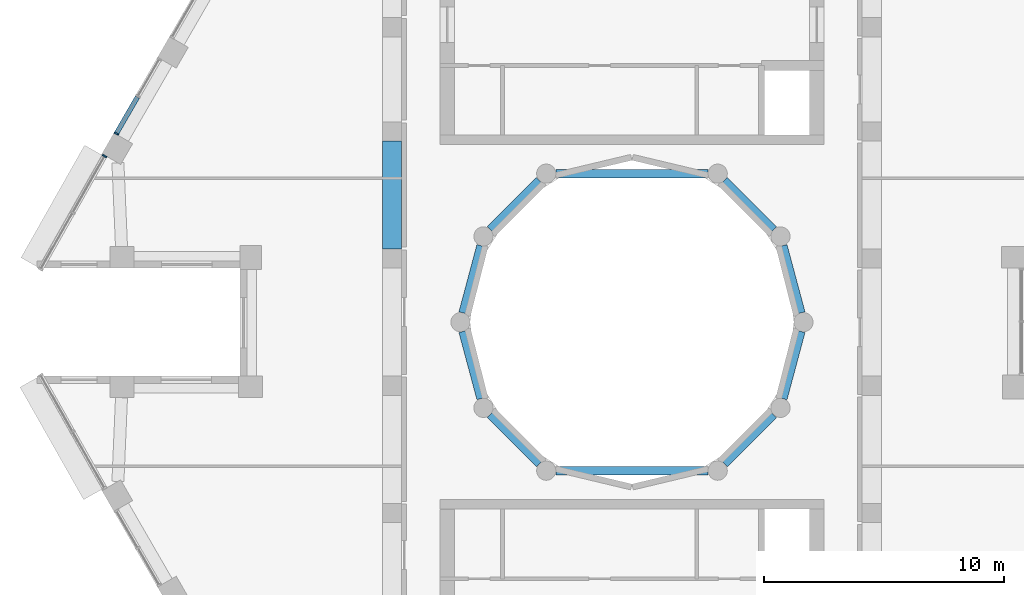
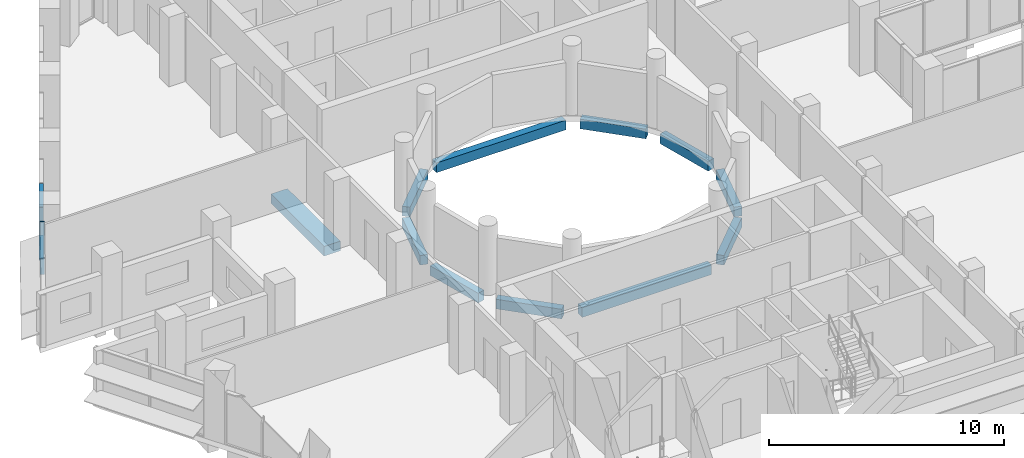
# One storey, part 3 of 16: 11 beams, 4 members, 2 elements without a shape of their own.
"""IFC4 building model written with IfcOpenShell, lengths in metres."""

import ifcopenshell
import ifcopenshell.guid

model = None  # the IFC model being written
_history = None  # IfcOwnerHistory: only IFC2X3 demands one
_inside = {}  # id of a spatial element -> (the spatial element, [elements in it])
_under = {}  # id of a project, library or spatial element -> (it, [spatial elements below it])
_declared = {}  # id of a project -> (the project, [libraries it declares])
_typed = {}  # id of a type object -> (the type object, [elements of that type])
_made_of = {}  # id of a material, layer set ... -> (it, [elements and type objects made of it])


def new_model(schema):
    """Start an empty IFC model of exactly this schema.

    Asked for "IFC4X3", IfcOpenShell would pick the latest addendum, in which some entities
    have other attributes; the version numbers below select the first issue.
    IFC2X3 requires an IfcOwnerHistory on every rooted entity: one is made here for all.
    """
    global model, _history
    if schema == "IFC4X3":
        model = ifcopenshell.file(schema_version=(4, 3, 0, 0))
    else:
        model = ifcopenshell.file(schema=schema)
    _inside.clear()
    _under.clear()
    _declared.clear()
    _typed.clear()
    _made_of.clear()
    _history = None
    if model.schema == "IFC2X3":
        org = make("IfcOrganization", Name="unknown")
        user = make(
            "IfcPersonAndOrganization",
            ThePerson=make("IfcPerson", FamilyName="unknown"),
            TheOrganization=org,
        )
        app = make(
            "IfcApplication",
            ApplicationDeveloper=org,
            Version="unknown",
            ApplicationFullName="unknown",
            ApplicationIdentifier="unknown",
        )
        _history = make(
            "IfcOwnerHistory",
            OwningUser=user,
            OwningApplication=app,
            ChangeAction="ADDED",
            CreationDate=0,
        )
    return model


def make(cls, **values):
    """One entity of the class cls with the attributes given. An attribute that is None is left unset."""
    return model.create_entity(
        cls, **{name: value for name, value in values.items() if value is not None}
    )


def rooted(cls, **values):
    """An entity with a GlobalId (a new one), such as an element, a storey or a relation."""
    return make(cls, GlobalId=ifcopenshell.guid.new(), OwnerHistory=_history, **values)


def si_unit(unit_type, name, prefix=None):
    """IfcSIUnit, for example si_unit("LENGTHUNIT", "METRE", prefix="MILLI")."""
    return make("IfcSIUnit", UnitType=unit_type, Prefix=prefix, Name=name)


def assignment(units):
    """IfcUnitAssignment: the units of a project."""
    return None if units is None else make("IfcUnitAssignment", Units=units)


def point(xyz):
    """IfcCartesianPoint."""
    return None if xyz is None else make("IfcCartesianPoint", Coordinates=xyz)


def direction(xyz):
    """IfcDirection."""
    return None if xyz is None else make("IfcDirection", DirectionRatios=xyz)


def frame(location, z_axis=None, x_axis=None):
    """IfcAxis2Placement3D, a coordinate frame: its origin and axes. An axis left out is left unset."""
    return make(
        "IfcAxis2Placement3D",
        Location=point(location),
        Axis=direction(z_axis),
        RefDirection=direction(x_axis),
    )


def frame_2d(location, x_axis=None):
    """IfcAxis2Placement2D, a coordinate frame in the plane: its origin and x axis."""
    return make(
        "IfcAxis2Placement2D", Location=point(location), RefDirection=direction(x_axis)
    )


def origin():
    """The frame at (0, 0, 0) with its axes left unset."""
    return frame((0.0, 0.0, 0.0))


def origin_2d():
    """The frame at (0, 0) in the plane with its x axis left unset."""
    return frame_2d((0.0, 0.0))


def place(relative_to, where):
    """IfcLocalPlacement: puts the frame where relative to a parent placement (None: the world)."""
    return make(
        "IfcLocalPlacement", PlacementRelTo=relative_to, RelativePlacement=where
    )


def context(
    kind, dimensions, precision=None, world=None, true_north=None, identifier=None
):
    """IfcGeometricRepresentationContext, for example the 3D "Model" context."""
    return make(
        "IfcGeometricRepresentationContext",
        ContextIdentifier=identifier,
        ContextType=kind,
        CoordinateSpaceDimension=dimensions,
        Precision=precision,
        WorldCoordinateSystem=world,
        TrueNorth=true_north,
    )


def subcontext(parent, identifier, kind, view, scale=None):
    """IfcGeometricRepresentationSubContext, for example "Body" below "Model"."""
    return make(
        "IfcGeometricRepresentationSubContext",
        ContextIdentifier=identifier,
        ContextType=kind,
        ParentContext=parent,
        TargetScale=scale,
        TargetView=view,
    )


def project(units=None, contexts=None):
    """IfcProject with its units and contexts."""
    return rooted(
        "IfcProject",
        Name="project",
        RepresentationContexts=contexts,
        UnitsInContext=assignment(units),
    )


def spatial(cls, under=None, at=None, **own):
    """A site, building, storey or space (cls), placed at a placement, below another one or the project."""
    s = rooted(cls, ObjectPlacement=at, **own)
    if under is not None:
        _under.setdefault(under.id(), (under, []))[1].append(s)
    return s


def profile(cls, at=None, kind="AREA", **sizes):
    """A parametric profile (cls). Its sizes go by their IFC names, for example OverallWidth=200.0."""
    return make(cls, ProfileType=kind, Position=at, **sizes)


def rectangle(**sizes):
    """IfcRectangleProfileDef."""
    return profile("IfcRectangleProfileDef", **sizes)


def extrude(swept, where, along, depth):
    """IfcExtrudedAreaSolid: the profile swept, set in the frame where, extruded along a direction by depth."""
    return make(
        "IfcExtrudedAreaSolid",
        SweptArea=swept,
        Position=where,
        ExtrudedDirection=direction(along),
        Depth=depth,
    )


def shape(context_of_items, identifier, shape_type, items):
    """IfcShapeRepresentation: the items that make up one representation, for example the "Body"."""
    return make(
        "IfcShapeRepresentation",
        ContextOfItems=context_of_items,
        RepresentationIdentifier=identifier,
        RepresentationType=shape_type,
        Items=items,
    )


def material(Name=None, Category=None):
    """IfcMaterial."""
    return make("IfcMaterial", Name=Name, Category=Category)


def layer(
    of_material, thickness, ventilated=None, Name=None, Category=None, Priority=None
):
    """IfcMaterialLayer: one layer of a wall or slab, of a material (None: an air gap)."""
    return make(
        "IfcMaterialLayer",
        Material=of_material,
        LayerThickness=thickness,
        IsVentilated=ventilated,
        Name=Name,
        Category=Category,
        Priority=Priority,
    )


def layer_set(layers, Name=None):
    """IfcMaterialLayerSet."""
    return make("IfcMaterialLayerSet", MaterialLayers=layers, LayerSetName=Name)


def material_profile(
    of_material, cross_section, Name=None, Category=None, Priority=None
):
    """IfcMaterialProfile: a cross section and its material."""
    return make(
        "IfcMaterialProfile",
        Name=Name,
        Material=of_material,
        Profile=cross_section,
        Priority=Priority,
        Category=Category,
    )


def profile_set(profiles, Name=None, composite=None):
    """IfcMaterialProfileSet."""
    return make(
        "IfcMaterialProfileSet",
        Name=Name,
        MaterialProfiles=profiles,
        CompositeProfile=composite,
    )


def made_of(thing, what):
    """Note that an element or type object is made of a material, layer set ...; save() writes the relation."""
    if what is not None:
        _made_of.setdefault(what.id(), (what, []))[1].append(thing)
    return thing


def type_object(cls, material=None, **own):
    """A type object (cls), such as IfcWallType, which elements share."""
    return made_of(rooted(cls, **own), material)


def element(
    cls,
    number,
    at=None,
    inside=None,
    cuts=None,
    type_object=None,
    material=None,
    context=None,
    identifier="Body",
    shape_type=None,
    held_by="IfcProductDefinitionShape",
    body=None,
    shapes=None,
    **own,
):
    """One element of the class cls, such as IfcWall. Its Tag is "e" and its number.

    at: its placement. inside: the storey or other place that contains it. cuts: it is an
    opening in that element (IfcRelVoidsElement). A single representation is given by context,
    identifier, shape_type and body (its items); several are given by shapes. held_by: the class
    of the entity that holds the representations. save() writes the other relations.
    """
    e = rooted(cls, Tag="e%d" % number, ObjectPlacement=at, **own)
    if body is not None:
        shapes = [shape(context, identifier, shape_type, body)]
    if shapes is not None:
        e.Representation = make(held_by, Representations=shapes)
    if inside is not None:
        _inside.setdefault(inside.id(), (inside, []))[1].append(e)
    if cuts is not None:
        rooted(
            "IfcRelVoidsElement", RelatingBuildingElement=cuts, RelatedOpeningElement=e
        )
    if type_object is not None:
        _typed.setdefault(type_object.id(), (type_object, []))[1].append(e)
    return made_of(e, material)


def aggregate(whole, parts):
    """IfcRelAggregates: a whole, such as a stair, and the parts it consists of."""
    return rooted("IfcRelAggregates", RelatingObject=whole, RelatedObjects=parts)


def save(model, path):
    """Write the relations noted so far, then the file.

    IfcRelAggregates (storeys below a building ...), IfcRelContainedInSpatialStructure (elements
    in a storey), IfcRelDefinesByType, IfcRelAssociatesMaterial and IfcRelDeclares: one each for
    every whole, place, type object, material and project.
    """
    for whole, parts in _under.values():
        aggregate(whole, parts)
    for where, things in _inside.values():
        rooted(
            "IfcRelContainedInSpatialStructure",
            RelatedElements=things,
            RelatingStructure=where,
        )
    for kind, things in _typed.values():
        rooted("IfcRelDefinesByType", RelatedObjects=things, RelatingType=kind)
    for what, things in _made_of.values():
        rooted("IfcRelAssociatesMaterial", RelatedObjects=things, RelatingMaterial=what)
    for by, libraries in _declared.values():
        rooted("IfcRelDeclares", RelatingContext=by, RelatedDefinitions=libraries)
    model.write(path)


model = new_model("IFC4")

# Units and contexts
model_context = context("Model", 3, precision=1e-05, world=origin(), true_north=direction((0.0, 1.0)))
body_context = subcontext(model_context, "Body", "Model", "MODEL_VIEW")
ifc_project = project(units=[si_unit("LENGTHUNIT", "METRE"), si_unit("AREAUNIT", "SQUARE_METRE"), si_unit("VOLUMEUNIT", "CUBIC_METRE"), si_unit("PLANEANGLEUNIT", "RADIAN"), si_unit("MASSUNIT", "GRAM", prefix="KILO")], contexts=[model_context])

# Site, building, storey
site_placement = place(None, origin())
site = spatial("IfcSite", under=ifc_project, at=site_placement, CompositionType="ELEMENT")
building_placement = place(site_placement, origin())
building = spatial("IfcBuilding", under=site, at=building_placement, Name="Nakaniwa Court", CompositionType="ELEMENT")
storey_placement = place(building_placement, frame((0.0, 0.0, 272.39990234375)))
storey = spatial("IfcBuildingStorey", under=building, at=storey_placement, Name="C01", CompositionType="ELEMENT", Elevation=272.39990234375)

# Beams
ifc_material_1 = material(Name="Concrete C80/100", Category="concrete")
ifc_material_profile_1 = material_profile(ifc_material_1, rectangle(XDim=0.35009765625, YDim=0.5, at=origin_2d()), Name="Concrete C80/100 RC 350x500 ring beam")
ifc_profile_set_1 = profile_set([ifc_material_profile_1], Name="Concrete C80/100")
beam_type_1 = type_object("IfcBeamType", Name="Concrete C80/100 RC 350x500 ring beam", PredefinedType="BEAM", material=ifc_profile_set_1)
beam_1_placement = place(storey_placement, frame((87.04638671875, 80.386474609375, -0.52490234375), z_axis=(-0.258778150207, 0.965936783115, 0.0), x_axis=(-0.965936783115, -0.258778150207, 0.0)))
element("IfcBeam", 1, at=beam_1_placement, inside=storey, type_object=beam_type_1, Name="RING BEAM", PredefinedType="BEAM", context=body_context, shape_type="SweptSolid", body=[
    extrude(rectangle(XDim=0.35009765625, YDim=0.5, at=origin_2d()), origin(), (0.0, 0.0, 1.0), 2.901123046875),
])
beam_2_placement = place(storey_placement, frame((85.9091796875, 83.85791015625, -0.52490234375), z_axis=(-0.707106781187, 0.707106781187, 0.0), x_axis=(-0.707106781187, -0.707106781187, 0.0)))
element("IfcBeam", 2, at=beam_2_placement, inside=storey, type_object=beam_type_1, Name="RING BEAM", PredefinedType="BEAM", context=body_context, shape_type="SweptSolid", body=[
    extrude(rectangle(XDim=0.35009765625, YDim=0.5, at=origin_2d()), origin(), (0.0, 0.0, 1.0), 2.90087890625),
])
beam_3_placement = place(storey_placement, frame((83.175048828125, 86.192138671875, -0.52490234375), z_axis=(-1.0, 0.0, 0.0), x_axis=(0.0, -1.0, 0.0)))
element("IfcBeam", 3, at=beam_3_placement, inside=storey, type_object=beam_type_1, Name="RING BEAM", PredefinedType="BEAM", context=body_context, shape_type="SweptSolid", body=[
    extrude(rectangle(XDim=0.35009765625, YDim=0.5, at=origin_2d()), origin(), (0.0, 0.0, 1.0), 6.35009765625),
])
beam_4_placement = place(storey_placement, frame((76.14208984375, 85.9091796875, -0.52490234375), z_axis=(-0.707106781187, -0.707106781187, 0.0), x_axis=(0.707106781187, -0.707106781187, 0.0)))
element("IfcBeam", 4, at=beam_4_placement, inside=storey, type_object=beam_type_1, Name="RING BEAM", PredefinedType="BEAM", context=body_context, shape_type="SweptSolid", body=[
    extrude(rectangle(XDim=0.35009765625, YDim=0.5, at=origin_2d()), origin(), (0.0, 0.0, 1.0), 2.90087890625),
])
for number, where, z_axis, x_axis, name in (
    (5, (73.704345703125, 83.188720703125, -0.52490234375), (-0.258778150207, -0.965936783115, 0.0), (0.965936783115, -0.258778150207, 0.0), "RING BEAM"),
    (6, (72.95361328125, 79.613525390625, -0.52490234375), (0.258778150207, -0.965936783115, 0.0), (0.965936783115, 0.258778150207, 0.0), "RING BEAM"),
):
    element("IfcBeam", number, at=place(storey_placement, frame(where, z_axis=z_axis, x_axis=x_axis)), inside=storey, type_object=beam_type_1, Name=name, PredefinedType="BEAM", context=body_context, shape_type="SweptSolid", body=[
        extrude(rectangle(XDim=0.35009765625, YDim=0.5, at=origin_2d()), origin(), (0.0, 0.0, 1.0), 2.901123046875),
    ])
beam_5_placement = place(storey_placement, frame((74.0908203125, 76.14208984375, -0.52490234375), z_axis=(0.707106781187, -0.707106781187, 0.0), x_axis=(0.707106781187, 0.707106781187, 0.0)))
element("IfcBeam", 7, at=beam_5_placement, inside=storey, type_object=beam_type_1, Name="RING BEAM", PredefinedType="BEAM", context=body_context, shape_type="SweptSolid", body=[
    extrude(rectangle(XDim=0.35009765625, YDim=0.5, at=origin_2d()), origin(), (0.0, 0.0, 1.0), 2.90087890625),
])
beam_6_placement = place(storey_placement, frame((76.824951171875, 73.807861328125, -0.52490234375), z_axis=(1.0, 0.0, 0.0), x_axis=(0.0, 1.0, 0.0)))
element("IfcBeam", 8, at=beam_6_placement, inside=storey, type_object=beam_type_1, Name="RING BEAM", PredefinedType="BEAM", context=body_context, shape_type="SweptSolid", body=[
    extrude(rectangle(XDim=0.35009765625, YDim=0.5, at=origin_2d()), origin(), (0.0, 0.0, 1.0), 6.35009765625),
])
beam_7_placement = place(storey_placement, frame((83.85791015625, 74.0908203125, -0.52490234375), z_axis=(0.707106781187, 0.707106781187, 0.0), x_axis=(-0.707106781187, 0.707106781187, 0.0)))
element("IfcBeam", 9, at=beam_7_placement, inside=storey, type_object=beam_type_1, Name="RING BEAM", PredefinedType="BEAM", context=body_context, shape_type="SweptSolid", body=[
    extrude(rectangle(XDim=0.35009765625, YDim=0.5, at=origin_2d()), origin(), (0.0, 0.0, 1.0), 2.90087890625),
])
beam_8_placement = place(storey_placement, frame((86.295654296875, 76.811279296875, -0.52490234375), z_axis=(0.258778150207, 0.965936783115, 0.0), x_axis=(-0.965936783115, 0.258778150207, 0.0)))
element("IfcBeam", 10, at=beam_8_placement, inside=storey, type_object=beam_type_1, Name="RING BEAM", PredefinedType="BEAM", context=body_context, shape_type="SweptSolid", body=[
    extrude(rectangle(XDim=0.35009765625, YDim=0.5, at=origin_2d()), origin(), (0.0, 0.0, 1.0), 2.901123046875),
])
ifc_material_profile_2 = material_profile(ifc_material_1, rectangle(XDim=0.800048828125, YDim=0.5, at=origin_2d()), Name="Concrete C80/100 RC 800x500 ring beam")
ifc_profile_set_2 = profile_set([ifc_material_profile_2], Name="Concrete C80/100")
beam_type_2 = type_object("IfcBeamType", Name="Concrete C80/100 RC 800x500 ring beam", PredefinedType="BEAM", material=ifc_profile_set_2)
beam_9_placement = place(storey_placement, frame((70.0, 87.550048828125, -0.52490234375), z_axis=(0.0, -1.0, 0.0), x_axis=(1.0, 0.0, 0.0)))
element("IfcBeam", 11, at=beam_9_placement, inside=storey, type_object=beam_type_2, Name="RING BEAM", PredefinedType="BEAM", context=body_context, shape_type="SweptSolid", body=[
    extrude(rectangle(XDim=0.800048828125, YDim=0.5, at=origin_2d()), origin(), (0.0, 0.0, 1.0), 4.5),
])

# Curtain wall, member
ifc_material_2 = material(Name="Black anodised aluminium frame with dark low-E laminated double glazing", Category="aluminium")
ifc_layer = layer(ifc_material_2, 0.199951171875)
ifc_layer_set = layer_set([ifc_layer], Name="Black anodised aluminium frame with dark low-E laminated double glazing")
curtain_wall_type = type_object("IfcCurtainWallType", Name="Crown curtain wall", PredefinedType="NOTDEFINED", material=ifc_layer_set)
curtain_wall_1_placement = place(storey_placement, origin())
curtain_wall_1 = element("IfcCurtainWall", 12, at=curtain_wall_1_placement, inside=storey, type_object=curtain_wall_type, Name="C01 curtain wall CW4 13", PredefinedType="NOTDEFINED")
ifc_material_3 = material(Name="Black anodised aluminium extrusion", Category="aluminium")
ifc_material_profile_3 = material_profile(ifc_material_3, rectangle(XDim=0.199951171875, YDim=0.06494140625, at=origin_2d()), Name="Crown curtain wall mullion 65x200")
ifc_profile_set_3 = profile_set([ifc_material_profile_3], Name="Black anodised aluminium extrusion")
member_type_1 = type_object("IfcMemberType", Name="Crown curtain wall mullion 65x200", PredefinedType="MULLION", material=ifc_profile_set_3)
member_1_placement = place(storey_placement, frame((58.502197265625, 87.86474609375, 0.0), z_axis=(0.0, 0.0, 1.0), x_axis=(0.866032625369, -0.49998749164, 0.0)))
member_1 = element("IfcMember", 13, at=member_1_placement, type_object=member_type_1, Name="CW4 mullion 3", PredefinedType="MULLION", context=body_context, shape_type="SweptSolid", body=[
    extrude(rectangle(XDim=0.199951171875, YDim=0.06494140625, at=origin_2d()), origin(), (0.0, 0.0, 1.0), 2.72509765625),
])

curtain_wall_2_placement = place(storey_placement, origin())
curtain_wall_2 = element("IfcCurtainWall", 14, at=curtain_wall_2_placement, inside=storey, type_object=curtain_wall_type, Name="C01 curtain wall CW4 14", PredefinedType="NOTDEFINED")
member_2_placement = place(storey_placement, frame((58.013671875, 86.926025390625, 0.0), z_axis=(0.0, 0.0, 1.0), x_axis=(0.870495279169, -0.492176765953, 0.0)))
member_2 = element("IfcMember", 15, at=member_2_placement, type_object=member_type_1, Name="CW4 mullion 1", PredefinedType="MULLION", context=body_context, shape_type="SweptSolid", body=[
    extrude(rectangle(XDim=0.199951171875, YDim=0.06494140625, at=origin_2d()), origin(), (0.0, 0.0, 1.0), 2.72509765625),
])
aggregate(curtain_wall_2, [member_2])

# Member
ifc_material_profile_4 = material_profile(ifc_material_3, rectangle(XDim=0.199951171875, YDim=0.054931640625, at=origin_2d()), Name="Crown curtain wall transom 55x200")
ifc_profile_set_4 = profile_set([ifc_material_profile_4], Name="Black anodised aluminium extrusion")
member_type_2 = type_object("IfcMemberType", Name="Crown curtain wall transom 55x200", PredefinedType="USERDEFINED", material=ifc_profile_set_4)
member_3_placement = place(storey_placement, frame((59.381591796875, 89.3876953125, 0.027587890625), z_axis=(-0.500048976984, -0.865997125063, 0.0), x_axis=(0.865997125063, -0.500048976984, 0.0)))
member_3 = element("IfcMember", 16, at=member_3_placement, type_object=member_type_2, Name="CW4 transom 2.1", ObjectType="TRANSOM", PredefinedType="USERDEFINED", context=body_context, shape_type="SweptSolid", body=[
    extrude(rectangle(XDim=0.199951171875, YDim=0.054931640625, at=origin_2d()), origin(), (0.0, 0.0, 1.0), 1.725830078125),
])

member_4_placement = place(storey_placement, frame((59.381591796875, 89.3876953125, 2.697509765625), z_axis=(-0.500048976984, -0.865997125063, 0.0), x_axis=(0.865997125063, -0.500048976984, 0.0)))
member_4 = element("IfcMember", 17, at=member_4_placement, type_object=member_type_2, Name="CW4 transom 2.2", ObjectType="TRANSOM", PredefinedType="USERDEFINED", context=body_context, shape_type="SweptSolid", body=[
    extrude(rectangle(XDim=0.199951171875, YDim=0.054931640625, at=origin_2d()), origin(), (0.0, 0.0, 1.0), 1.725830078125),
])

aggregate(curtain_wall_1, [member_1, member_3, member_4])

save(model, "model.ifc")
